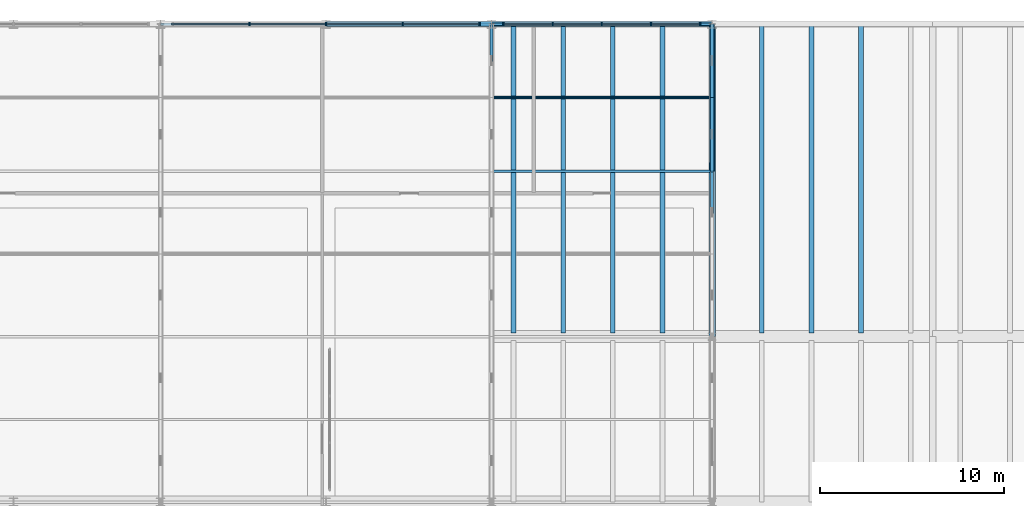
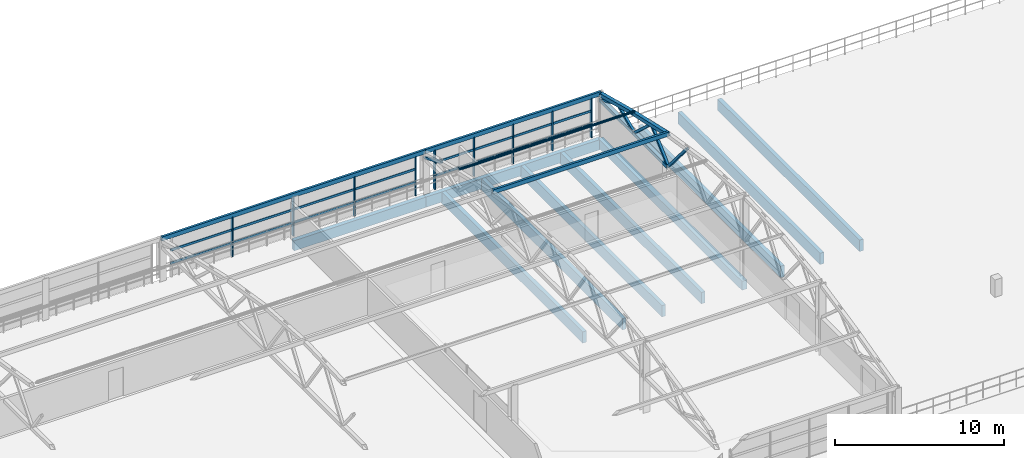
# One storey, part 24 of 50: 27 members, 10 beams, 2 elements without a shape of their own.
"""IFC4 building model written with IfcOpenShell, lengths in metres."""

from ifc_helpers import new_model, si_unit, derived_unit, direction, frame, origin, origin_2d, place, context, subcontext, project, spatial, rectangle, hollow_rectangle, hollow_circle, extrude, material, layer, layer_set, material_profile, profile_set, type_object, element, aggregate, save


model = new_model("IFC4")

# Units and contexts
model_context = context("Model", 3, precision=1e-05, world=origin(), true_north=direction((0.0, 1.0)))
body_context = subcontext(model_context, "Body", "Model", "MODEL_VIEW")
ifc_project = project(units=[si_unit("LENGTHUNIT", "METRE"), si_unit("AREAUNIT", "SQUARE_METRE"), si_unit("VOLUMEUNIT", "CUBIC_METRE"), si_unit("PLANEANGLEUNIT", "RADIAN"), si_unit("MASSUNIT", "GRAM", prefix="KILO"), si_unit("THERMODYNAMICTEMPERATUREUNIT", "KELVIN"), derived_unit("THERMALTRANSMITTANCEUNIT", [(si_unit("POWERUNIT", "WATT"), 1), (si_unit("AREAUNIT", "SQUARE_METRE"), -1), (si_unit("THERMODYNAMICTEMPERATUREUNIT", "KELVIN"), -1)])], contexts=[model_context])

# Site, building, storey
site_placement = place(None, origin())
site = spatial("IfcSite", under=ifc_project, at=site_placement, CompositionType="ELEMENT")
building_placement = place(site_placement, origin())
building = spatial("IfcBuilding", under=site, at=building_placement, Name="Haiyu Intermodal Mobility Hub", CompositionType="ELEMENT")
storey_placement = place(building_placement, frame((0.0, 0.0, 25.10009765625)))
storey = spatial("IfcBuildingStorey", under=building, at=storey_placement, Name="L06", CompositionType="ELEMENT", Elevation=25.10009765625)

# Beams
ifc_material_1 = material(Name="Concrete C40", Category="concrete")
ifc_material_profile_1 = material_profile(ifc_material_1, rectangle(XDim=0.35009765625, YDim=0.64990234375, at=origin_2d()), Name="RCB350x650")
ifc_profile_set_1 = profile_set([ifc_material_profile_1], Name="Concrete C40")
beam_type_1 = type_object("IfcBeamType", Name="BM-CB04", PredefinedType="BEAM", material=ifc_profile_set_1)
beam_1_placement = place(storey_placement, frame((108.0, 131.0, -0.60498046875), z_axis=(0.0, 1.0, 0.0), x_axis=(-1.0, 0.0, 0.0)))
element("IfcBeam", 1, at=beam_1_placement, inside=storey, type_object=beam_type_1, Name="BM-V4E-L06-006", PredefinedType="BEAM", context=body_context, shape_type="SweptSolid", body=[
    extrude(rectangle(XDim=0.35009765625, YDim=0.64990234375, at=origin_2d()), origin(), (0.0, 0.0, 1.0), 17.0),
])
ifc_material_2 = material(Name="Precast concrete C50", Category="concrete")
ifc_material_profile_2 = material_profile(ifc_material_2, rectangle(XDim=0.260009765625, YDim=0.820068359375, at=origin_2d()), Name="PC260x820")
ifc_profile_set_2 = profile_set([ifc_material_profile_2], Name="Precast concrete C50")
beam_type_2 = type_object("IfcBeamType", Name="BM-DT04", PredefinedType="JOIST", material=ifc_profile_set_2)
for number, where, z_axis, x_axis, name in (
    (2, (97.199951171875, 131.195068359375, -0.690185546875), (0.0, 1.0, 0.0), (-1.0, 0.0, 0.0), "BM-DT-L06-006"),
    (3, (99.89990234375, 131.195068359375, -0.690185546875), (0.0, 1.0, 0.0), (-1.0, 0.0, 0.0), "BM-DT-L06-008"),
    (4, (102.60009765625, 131.195068359375, -0.690185546875), (0.0, 1.0, 0.0), (-1.0, 0.0, 0.0), "BM-DT-L06-010"),
    (5, (105.300048828125, 131.195068359375, -0.690185546875), (0.0, 1.0, 0.0), (-1.0, 0.0, 0.0), "BM-DT-L06-012"),
    (6, (110.699951171875, 131.195068359375, -0.690185546875), (0.0, 1.0, 0.0), (-1.0, 0.0, 0.0), "BM-DT-L06-014"),
    (7, (113.39990234375, 131.195068359375, -0.690185546875), (0.0, 1.0, 0.0), (-1.0, 0.0, 0.0), "BM-DT-L06-016"),
    (8, (116.10009765625, 131.195068359375, -0.690185546875), (0.0, 1.0, 0.0), (-1.0, 0.0, 0.0), "BM-DT-L06-018"),
):
    element("IfcBeam", number, at=place(storey_placement, frame(where, z_axis=z_axis, x_axis=x_axis)), inside=storey, type_object=beam_type_2, Name=name, PredefinedType="JOIST", context=body_context, shape_type="SweptSolid", body=[
        extrude(rectangle(XDim=0.260009765625, YDim=0.820068359375, at=origin_2d()), origin(), (0.0, 0.0, 1.0), 16.804931640625),
    ])
ifc_material_3 = material(Name="Precast concrete C40", Category="concrete")
ifc_material_profile_3 = material_profile(ifc_material_3, rectangle(XDim=0.280029296875, YDim=0.739990234375, at=origin_2d()), Name="B280x740")
ifc_profile_set_3 = profile_set([ifc_material_profile_3], Name="Precast concrete C40")
beam_type_3 = type_object("IfcBeamType", Name="BM-SP05", PredefinedType="SPANDREL", material=ifc_profile_set_3)
beam_2_placement = place(storey_placement, frame((87.0, 148.0, -0.650146484375), z_axis=(1.0, 0.0, 0.0), x_axis=(0.0, 1.0, 0.0)))
element("IfcBeam", 9, at=beam_2_placement, inside=storey, type_object=beam_type_3, Name="BM-V4G-L06-049", PredefinedType="SPANDREL", context=body_context, shape_type="SweptSolid", body=[
    extrude(rectangle(XDim=0.280029296875, YDim=0.739990234375, at=origin_2d()), origin(), (0.0, 0.0, 1.0), 9.0),
])
beam_3_placement = place(storey_placement, frame((96.0, 148.0, -0.650146484375), z_axis=(1.0, 0.0, 0.0), x_axis=(0.0, 1.0, 0.0)))
element("IfcBeam", 10, at=beam_3_placement, inside=storey, type_object=beam_type_3, Name="BM-V4G-L06-050", PredefinedType="SPANDREL", context=body_context, shape_type="SweptSolid", body=[
    extrude(rectangle(XDim=0.280029296875, YDim=0.739990234375, at=origin_2d()), origin(), (0.0, 0.0, 1.0), 12.0),
])

# Curtain wall, members
ifc_material_4 = material(Name="Low-e laminated insulating glass", Category="glass")
ifc_layer = layer(ifc_material_4, 0.22998046875)
ifc_layer_set = layer_set([ifc_layer], Name="Low-e laminated insulating glass")
curtain_wall_type = type_object("IfcCurtainWallType", Name="CW-CW05", PredefinedType="NOTDEFINED", material=ifc_layer_set)
curtain_wall_1_placement = place(storey_placement, origin())
curtain_wall_1 = element("IfcCurtainWall", 11, at=curtain_wall_1_placement, inside=storey, type_object=curtain_wall_type, Name="Curtain Wall CW-V3N-161", PredefinedType="NOTDEFINED")
ifc_material_5 = material(Name="Anodised aluminium 6063-T6", Category="aluminium")
ifc_material_profile_4 = material_profile(ifc_material_5, rectangle(XDim=0.074951171875, YDim=0.199951171875, at=origin_2d()), Name="ALU75x200")
ifc_profile_set_4 = profile_set([ifc_material_profile_4], Name="Anodised aluminium 6063-T6")
member_type_1 = type_object("IfcMemberType", Name="CWM-ML01", PredefinedType="MULLION", material=ifc_profile_set_4)
member_1_placement = place(storey_placement, frame((95.340087890625, 148.0, 0.0), z_axis=(0.0, 0.0, 1.0), x_axis=(1.0, 0.0, 0.0)))
member_1 = element("IfcMember", 12, at=member_1_placement, type_object=member_type_1, Name="CW-V3N-161-ML01", PredefinedType="MULLION", context=body_context, shape_type="SweptSolid", body=[
    extrude(rectangle(XDim=0.074951171875, YDim=0.199951171875, at=origin_2d()), origin(), (0.0, 0.0, 1.0), 2.849853515625),
])
member_2_placement = place(storey_placement, frame((91.169921875, 148.0, 0.0), z_axis=(0.0, 0.0, 1.0), x_axis=(1.0, 0.0, 0.0)))
member_2 = element("IfcMember", 13, at=member_2_placement, type_object=member_type_1, Name="CW-V3N-161-ML02", PredefinedType="MULLION", context=body_context, shape_type="SweptSolid", body=[
    extrude(rectangle(XDim=0.074951171875, YDim=0.199951171875, at=origin_2d()), origin(), (0.0, 0.0, 1.0), 2.849853515625),
])
member_3_placement = place(storey_placement, frame((87.0, 148.0, 0.0), z_axis=(0.0, 0.0, 1.0), x_axis=(1.0, 0.0, 0.0)))
member_3 = element("IfcMember", 14, at=member_3_placement, type_object=member_type_1, Name="CW-V3N-161-ML03", PredefinedType="MULLION", context=body_context, shape_type="SweptSolid", body=[
    extrude(rectangle(XDim=0.074951171875, YDim=0.199951171875, at=origin_2d()), origin(), (0.0, 0.0, 1.0), 2.849853515625),
])
member_4_placement = place(storey_placement, frame((82.830078125, 148.0, 0.0), z_axis=(0.0, 0.0, 1.0), x_axis=(1.0, 0.0, 0.0)))
member_4 = element("IfcMember", 15, at=member_4_placement, type_object=member_type_1, Name="CW-V3N-161-ML04", PredefinedType="MULLION", context=body_context, shape_type="SweptSolid", body=[
    extrude(rectangle(XDim=0.074951171875, YDim=0.199951171875, at=origin_2d()), origin(), (0.0, 0.0, 1.0), 2.849853515625),
])

curtain_wall_2_placement = place(storey_placement, origin())
curtain_wall_2 = element("IfcCurtainWall", 16, at=curtain_wall_2_placement, inside=storey, type_object=curtain_wall_type, Name="Curtain Wall CW-V3N-163", PredefinedType="NOTDEFINED")
member_5_placement = place(storey_placement, frame((107.340087890625, 148.0, 0.0), z_axis=(0.0, 0.0, 1.0), x_axis=(1.0, 0.0, 0.0)))
member_5 = element("IfcMember", 17, at=member_5_placement, type_object=member_type_1, Name="CW-V3N-163-ML01", PredefinedType="MULLION", context=body_context, shape_type="SweptSolid", body=[
    extrude(rectangle(XDim=0.074951171875, YDim=0.199951171875, at=origin_2d()), origin(), (0.0, 0.0, 1.0), 2.849853515625),
])
member_6_placement = place(storey_placement, frame((104.669921875, 148.0, 0.0), z_axis=(0.0, 0.0, 1.0), x_axis=(1.0, 0.0, 0.0)))
member_6 = element("IfcMember", 18, at=member_6_placement, type_object=member_type_1, Name="CW-V3N-163-ML02", PredefinedType="MULLION", context=body_context, shape_type="SweptSolid", body=[
    extrude(rectangle(XDim=0.074951171875, YDim=0.199951171875, at=origin_2d()), origin(), (0.0, 0.0, 1.0), 2.849853515625),
])
member_7_placement = place(storey_placement, frame((102.0, 148.0, 0.0), z_axis=(0.0, 0.0, 1.0), x_axis=(1.0, 0.0, 0.0)))
member_7 = element("IfcMember", 19, at=member_7_placement, type_object=member_type_1, Name="CW-V3N-163-ML03", PredefinedType="MULLION", context=body_context, shape_type="SweptSolid", body=[
    extrude(rectangle(XDim=0.074951171875, YDim=0.199951171875, at=origin_2d()), origin(), (0.0, 0.0, 1.0), 2.849853515625),
])
member_8_placement = place(storey_placement, frame((99.330078125, 148.0, 0.0), z_axis=(0.0, 0.0, 1.0), x_axis=(1.0, 0.0, 0.0)))
member_8 = element("IfcMember", 20, at=member_8_placement, type_object=member_type_1, Name="CW-V3N-163-ML04", PredefinedType="MULLION", context=body_context, shape_type="SweptSolid", body=[
    extrude(rectangle(XDim=0.074951171875, YDim=0.199951171875, at=origin_2d()), origin(), (0.0, 0.0, 1.0), 2.849853515625),
])
member_9_placement = place(storey_placement, frame((96.659912109375, 148.0, 0.0), z_axis=(0.0, 0.0, 1.0), x_axis=(1.0, 0.0, 0.0)))
member_9 = element("IfcMember", 21, at=member_9_placement, type_object=member_type_1, Name="CW-V3N-163-ML05", PredefinedType="MULLION", context=body_context, shape_type="SweptSolid", body=[
    extrude(rectangle(XDim=0.074951171875, YDim=0.199951171875, at=origin_2d()), origin(), (0.0, 0.0, 1.0), 2.849853515625),
])

# Member
ifc_material_profile_5 = material_profile(ifc_material_5, rectangle(XDim=0.074951171875, YDim=0.159912109375, at=origin_2d()), Name="ALU75x160")
ifc_profile_set_5 = profile_set([ifc_material_profile_5], Name="Anodised aluminium 6063-T6")
member_type_2 = type_object("IfcMemberType", Name="CWM-TR01", PredefinedType="USERDEFINED", material=ifc_profile_set_5)
member_10_placement = place(storey_placement, frame((95.3798828125, 148.0, 0.949951171875), z_axis=(-1.0, 0.0, 0.0), x_axis=(0.0, -1.0, 0.0)))
member_10 = element("IfcMember", 22, at=member_10_placement, type_object=member_type_2, Name="CW-V3N-161-TR01", ObjectType="TRANSOM", PredefinedType="USERDEFINED", context=body_context, shape_type="SweptSolid", body=[
    extrude(rectangle(XDim=0.074951171875, YDim=0.159912109375, at=origin_2d()), origin(), (0.0, 0.0, 1.0), 16.759765625),
])

member_11_placement = place(storey_placement, frame((95.3798828125, 148.0, 1.89990234375), z_axis=(-1.0, 0.0, 0.0), x_axis=(0.0, -1.0, 0.0)))
member_11 = element("IfcMember", 23, at=member_11_placement, type_object=member_type_2, Name="CW-V3N-161-TR02", ObjectType="TRANSOM", PredefinedType="USERDEFINED", context=body_context, shape_type="SweptSolid", body=[
    extrude(rectangle(XDim=0.074951171875, YDim=0.159912109375, at=origin_2d()), origin(), (0.0, 0.0, 1.0), 16.759765625),
])

aggregate(curtain_wall_1, [member_1, member_2, member_3, member_4, member_10, member_11])

member_12_placement = place(storey_placement, frame((107.3798828125, 148.0, 0.949951171875), z_axis=(-1.0, 0.0, 0.0), x_axis=(0.0, -1.0, 0.0)))
member_12 = element("IfcMember", 24, at=member_12_placement, type_object=member_type_2, Name="CW-V3N-163-TR01", ObjectType="TRANSOM", PredefinedType="USERDEFINED", context=body_context, shape_type="SweptSolid", body=[
    extrude(rectangle(XDim=0.074951171875, YDim=0.159912109375, at=origin_2d()), origin(), (0.0, 0.0, 1.0), 10.759765625),
])

member_13_placement = place(storey_placement, frame((107.3798828125, 148.0, 1.89990234375), z_axis=(-1.0, 0.0, 0.0), x_axis=(0.0, -1.0, 0.0)))
member_13 = element("IfcMember", 25, at=member_13_placement, type_object=member_type_2, Name="CW-V3N-163-TR02", ObjectType="TRANSOM", PredefinedType="USERDEFINED", context=body_context, shape_type="SweptSolid", body=[
    extrude(rectangle(XDim=0.074951171875, YDim=0.159912109375, at=origin_2d()), origin(), (0.0, 0.0, 1.0), 10.759765625),
])

aggregate(curtain_wall_2, [member_5, member_6, member_7, member_8, member_9, member_12, member_13])

# Members
ifc_material_6 = material(Name="Steel Q355C", Category="steel")
ifc_material_profile_6 = material_profile(ifc_material_6, hollow_rectangle(XDim=0.25, YDim=0.25, WallThickness=0.010009765625, at=origin_2d()), Name="SHS250x250x10")
ifc_profile_set_6 = profile_set([ifc_material_profile_6], Name="Steel Q355C")
member_type_3 = type_object("IfcMemberType", Name="MEM-CH01", PredefinedType="CHORD", material=ifc_profile_set_6)
member_14_placement = place(storey_placement, frame((108.0, 140.0, 4.80078125), z_axis=(0.0, 0.975410459247, -0.220396088875), x_axis=(-1.0, 0.0, 0.0)))
element("IfcMember", 26, at=member_14_placement, inside=storey, type_object=member_type_3, Name="MEM-PAV-TC-047", PredefinedType="CHORD", context=body_context, shape_type="SweptSolid", body=[
    extrude(hollow_rectangle(XDim=0.25, YDim=0.25, WallThickness=0.010009765625, at=origin_2d()), origin(), (0.0, 0.0, 1.0), 4.100830078125),
])
member_15_placement = place(storey_placement, frame((108.0, 140.0, 2.5), z_axis=(0.0, 1.0, 0.0), x_axis=(-1.0, 0.0, 0.0)))
element("IfcMember", 27, at=member_15_placement, inside=storey, type_object=member_type_3, Name="MEM-PAV-BC-047", PredefinedType="CHORD", context=body_context, shape_type="SweptSolid", body=[
    extrude(hollow_rectangle(XDim=0.25, YDim=0.25, WallThickness=0.010009765625, at=origin_2d()), origin(), (0.0, 0.0, 1.0), 4.0),
])
member_16_placement = place(storey_placement, frame((108.0, 144.0, 3.89697265625), z_axis=(0.0, 0.967992645368, -0.250978561861), x_axis=(-1.0, 0.0, 0.0)))
element("IfcMember", 28, at=member_16_placement, inside=storey, type_object=member_type_3, Name="MEM-PAV-TC-048", PredefinedType="CHORD", context=body_context, shape_type="SweptSolid", body=[
    extrude(hollow_rectangle(XDim=0.25, YDim=0.25, WallThickness=0.010009765625, at=origin_2d()), origin(), (0.0, 0.0, 1.0), 4.13232421875),
])
member_17_placement = place(storey_placement, frame((108.0, 144.0, 2.5), z_axis=(0.0, 1.0, 0.0), x_axis=(-1.0, 0.0, 0.0)))
element("IfcMember", 29, at=member_17_placement, inside=storey, type_object=member_type_3, Name="MEM-PAV-BC-048", PredefinedType="CHORD", context=body_context, shape_type="SweptSolid", body=[
    extrude(hollow_rectangle(XDim=0.25, YDim=0.25, WallThickness=0.010009765625, at=origin_2d()), origin(), (0.0, 0.0, 1.0), 4.0),
])
ifc_material_profile_7 = material_profile(ifc_material_6, hollow_rectangle(XDim=0.159912109375, YDim=0.159912109375, WallThickness=0.006103515625, at=origin_2d()), Name="SHS160x160x6")
ifc_profile_set_7 = profile_set([ifc_material_profile_7], Name="Steel Q355C")
member_type_4 = type_object("IfcMemberType", Name="MEM-CH03", PredefinedType="CHORD", material=ifc_profile_set_7)
member_18_placement = place(storey_placement, frame((96.0, 146.0, 3.3779296875), z_axis=(0.0, 0.915664098449, -0.401944347903), x_axis=(-1.0, 0.0, 0.0)))
element("IfcMember", 30, at=member_18_placement, inside=storey, type_object=member_type_4, Name="MEM-PAV-D2-040", PredefinedType="CHORD", context=body_context, shape_type="SweptSolid", body=[
    extrude(hollow_rectangle(XDim=0.159912109375, YDim=0.159912109375, WallThickness=0.006103515625, at=origin_2d()), origin(), (0.0, 0.0, 1.0), 2.184326171875),
])
member_19_placement = place(storey_placement, frame((108.0, 137.75, 5.159912109375), z_axis=(0.0, 0.64582600347, -0.763484625413), x_axis=(-1.0, 0.0, 0.0)))
element("IfcMember", 31, at=member_19_placement, inside=storey, type_object=member_type_4, Name="MEM-PAV-D2-046", PredefinedType="CHORD", context=body_context, shape_type="SweptSolid", body=[
    extrude(hollow_rectangle(XDim=0.159912109375, YDim=0.159912109375, WallThickness=0.006103515625, at=origin_2d()), origin(), (0.0, 0.0, 1.0), 3.48388671875),
])
for number, where, z_axis, x_axis, name in (
    (32, (108.0, 140.0, 2.5), (0.0, 0.734304945723, 0.678819745357), (-1.0, 0.0, 0.0), "MEM-PAV-D1-047"),
    (33, (108.0, 142.0, 4.348876953125), (0.0, 0.734304945723, -0.678819745357), (-1.0, 0.0, 0.0), "MEM-PAV-D2-047"),
):
    element("IfcMember", number, at=place(storey_placement, frame(where, z_axis=z_axis, x_axis=x_axis)), inside=storey, type_object=member_type_4, Name=name, PredefinedType="CHORD", context=body_context, shape_type="SweptSolid", body=[
        extrude(hollow_rectangle(XDim=0.159912109375, YDim=0.159912109375, WallThickness=0.006103515625, at=origin_2d()), origin(), (0.0, 0.0, 1.0), 2.7236328125),
    ])
for number, where, z_axis, x_axis, name in (
    (34, (108.0, 144.0, 2.5), (0.0, 0.915664098449, 0.401944347903), (-1.0, 0.0, 0.0), "MEM-PAV-D1-048"),
    (35, (108.0, 146.0, 3.3779296875), (0.0, 0.915664098449, -0.401944347903), (-1.0, 0.0, 0.0), "MEM-PAV-D2-048"),
):
    element("IfcMember", number, at=place(storey_placement, frame(where, z_axis=z_axis, x_axis=x_axis)), inside=storey, type_object=member_type_4, Name=name, PredefinedType="CHORD", context=body_context, shape_type="SweptSolid", body=[
        extrude(hollow_rectangle(XDim=0.159912109375, YDim=0.159912109375, WallThickness=0.006103515625, at=origin_2d()), origin(), (0.0, 0.0, 1.0), 2.184326171875),
    ])
ifc_material_profile_8 = material_profile(ifc_material_6, hollow_rectangle(XDim=0.14990234375, YDim=0.300048828125, WallThickness=0.010009765625, at=origin_2d()), Name="RHS300x150x10")
ifc_profile_set_8 = profile_set([ifc_material_profile_8], Name="Steel Q355C")
member_type_5 = type_object("IfcMemberType", Name="MEM-PR01", PredefinedType="PURLIN", material=ifc_profile_set_8)
member_20_placement = place(storey_placement, frame((96.0, 140.0, 4.888916015625), z_axis=(1.0, 0.0, 0.0), x_axis=(0.0, 1.0, 0.0)))
element("IfcMember", 36, at=member_20_placement, inside=storey, type_object=member_type_5, Name="MEM-PAV-PR-020", PredefinedType="PURLIN", context=body_context, shape_type="SweptSolid", body=[
    extrude(hollow_rectangle(XDim=0.14990234375, YDim=0.300048828125, WallThickness=0.010009765625, at=origin_2d()), origin(), (0.0, 0.0, 1.0), 12.0),
])
member_21_placement = place(storey_placement, frame((78.0, 148.0, 2.947998046875), z_axis=(1.0, 0.0, 0.0), x_axis=(0.0, 1.0, 0.0)))
element("IfcMember", 37, at=member_21_placement, inside=storey, type_object=member_type_5, Name="MEM-PAV-PR-024", PredefinedType="PURLIN", context=body_context, shape_type="SweptSolid", body=[
    extrude(hollow_rectangle(XDim=0.14990234375, YDim=0.300048828125, WallThickness=0.010009765625, at=origin_2d()), origin(), (0.0, 0.0, 1.0), 18.0),
])
member_22_placement = place(storey_placement, frame((96.0, 148.0, 2.947998046875), z_axis=(1.0, 0.0, 0.0), x_axis=(0.0, 1.0, 0.0)))
element("IfcMember", 38, at=member_22_placement, inside=storey, type_object=member_type_5, Name="MEM-PAV-PR-025", PredefinedType="PURLIN", context=body_context, shape_type="SweptSolid", body=[
    extrude(hollow_rectangle(XDim=0.14990234375, YDim=0.300048828125, WallThickness=0.010009765625, at=origin_2d()), origin(), (0.0, 0.0, 1.0), 12.0),
])
ifc_material_profile_9 = material_profile(ifc_material_6, hollow_circle(Radius=0.083984375, WallThickness=0.006103515625, at=origin_2d()), Name="CHS168x6")
ifc_profile_set_9 = profile_set([ifc_material_profile_9], Name="Steel Q355C")
member_type_6 = type_object("IfcMemberType", Name="MEM-PR05-INT", PredefinedType="BRACE", material=ifc_profile_set_9)
member_23_placement = place(storey_placement, frame((96.0, 144.0, 4.048828125), z_axis=(1.0, 0.0, 0.0), x_axis=(0.0, 1.0, 0.0)))
element("IfcMember", 39, at=member_23_placement, inside=storey, type_object=member_type_6, Name="MEM-PAV-SPR-020", PredefinedType="BRACE", context=body_context, shape_type="SweptSolid", body=[
    extrude(hollow_circle(Radius=0.083984375, WallThickness=0.006103515625, at=origin_2d()), origin(), (0.0, 0.0, 1.0), 12.0),
])

save(model, "model.ifc")
